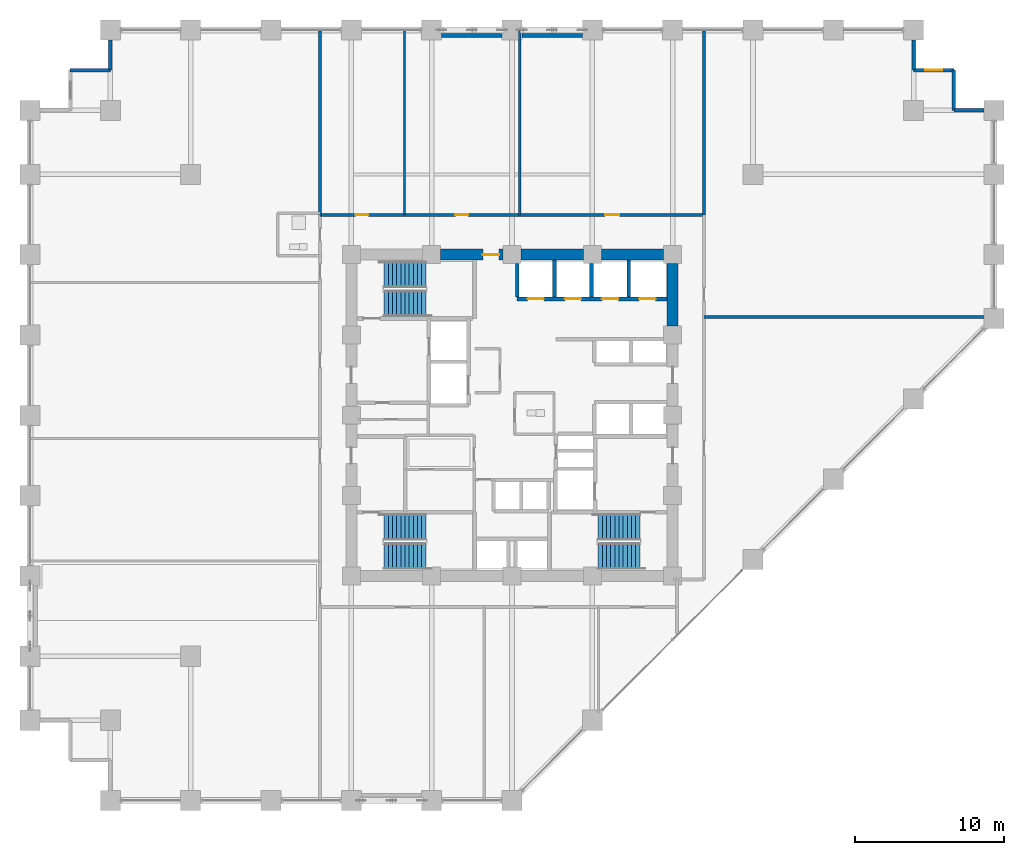
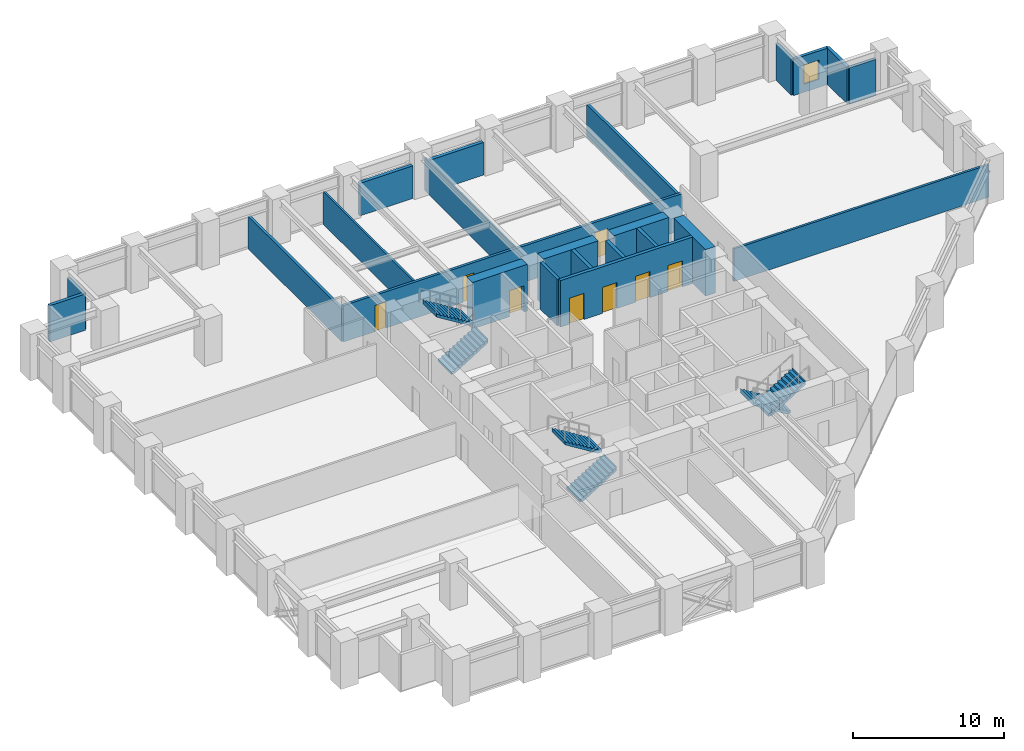
# One storey, part 22 of 25: 23 walls, 8 doors, 6 stair flights, 1 window, 9 openings, 3 elements without a shape of their own.
"""IFC4 building model written with IfcOpenShell, lengths in metres."""

from ifc_helpers import new_model, si_unit, direction, frame, frame_2d, origin, place, context, subcontext, project, spatial, polyline, rectangle, outline, extrude, material, layer, layer_set, type_object, element, fill, aggregate, save


model = new_model("IFC4")

# Units and contexts
model_context = context("Model", 3, precision=1e-05, world=origin(), true_north=direction((0.0, 1.0)))
body_context = subcontext(model_context, "Body", "Model", "MODEL_VIEW")
ifc_project = project(units=[si_unit("LENGTHUNIT", "METRE"), si_unit("AREAUNIT", "SQUARE_METRE"), si_unit("VOLUMEUNIT", "CUBIC_METRE"), si_unit("PLANEANGLEUNIT", "RADIAN"), si_unit("MASSUNIT", "GRAM", prefix="KILO")], contexts=[model_context])

# Site, building, storey
site_placement = place(None, origin())
site = spatial("IfcSite", under=ifc_project, at=site_placement, CompositionType="ELEMENT")
building_placement = place(site_placement, origin())
building = spatial("IfcBuilding", under=site, at=building_placement, Name="Surkhivell Harbour Commons", CompositionType="ELEMENT")
storey_placement = place(building_placement, frame((0.0, 0.0, 52.5)))
storey = spatial("IfcBuildingStorey", under=building, at=storey_placement, Name="L13", CompositionType="ELEMENT", Elevation=52.5)

# Wall, opening, door
ifc_material_1 = material(Name="Concrete C60/75", Category="concrete")
ifc_layer_1 = layer(ifc_material_1, 0.75)
ifc_layer_set_1 = layer_set([ifc_layer_1], Name="Concrete C60/75")
wall_type_1 = type_object("IfcWallType", Name="WAL-CORE-750", PredefinedType="SHEAR", material=ifc_layer_set_1)
wall_1_placement = place(storey_placement, frame((-4.7900390625, 10.800048828125, 0.0), z_axis=(0.0, 0.0, 1.0), x_axis=(1.0, 0.0, 0.0)))
wall_1 = element("IfcWall", 1, at=wall_1_placement, inside=storey, type_object=wall_type_1, Name="L13 Core Shear Wall North 2", PredefinedType="SHEAR", context=body_context, shape_type="SweptSolid", body=[
    extrude(rectangle(XDim=4.179931640625, YDim=0.75, at=frame_2d((2.08984375, 0.0))), origin(), (0.0, 0.0, 1.0), 3.75),
])
opening_1_placement = place(wall_1_placement, frame((2.830078125, 0.0, 0.0)))
opening_1 = element("IfcOpeningElement", 2, at=opening_1_placement, cuts=wall_1, Name="Opening ID-2", PredefinedType="OPENING", context=body_context, shape_type="SweptSolid", body=[
    extrude(rectangle(XDim=1.10009765625, YDim=2.10009765625, at=frame_2d((0.550048828125, 1.050048828125))), frame((0.0, 0.385009765625, 0.0), z_axis=(0.0, -1.0, 0.0), x_axis=(1.0, 0.0, 0.0)), (0.0, 0.0, 1.0), 0.77001953125),
])
ifc_material_2 = material(Name="Hardwood-veneered fire-rated door leaf", Category="wood")
door_type_1 = type_object("IfcDoorType", Name="DOR-FD60-1100", OperationType="NOTDEFINED", PredefinedType="DOOR", material=ifc_material_2)
door_1_placement = place(opening_1_placement, origin())
door_1 = element("IfcDoor", 3, at=door_1_placement, inside=storey, type_object=door_type_1, Name="L13 Central Core Lift Hall North Corridor Door", OperationType="SINGLE_SWING_LEFT", OverallHeight=2.10009765625, OverallWidth=1.10009765625, PredefinedType="DOOR", context=body_context, shape_type="SweptSolid", body=[
    extrude(rectangle(XDim=1.10009765625, YDim=2.10009765625, at=frame_2d((0.550048828125, 1.050048828125))), frame((0.0, 0.02490234375, 0.0), z_axis=(0.0, -1.0, 0.0), x_axis=(1.0, 0.0, 0.0)), (0.0, 0.0, 1.0), 0.050048828125),
])
fill(opening_1, door_1)

# Walls
for number, where, z_axis, x_axis, name in (
    (4, (0.610107421875, 10.800048828125, 0.0), (0.0, 0.0, 1.0), (1.0, 0.0, 0.0), "L13 Core Shear Wall North 3"),
    (5, (6.010009765625, 10.800048828125, 0.0), (0.0, 0.0, 1.0), (1.0, 0.0, 0.0), "L13 Core Shear Wall North 4"),
    (6, (10.800048828125, 6.010009765625, 0.0), (0.0, 0.0, 1.0), (0.0, 1.0, 0.0), "L13 Core Shear Wall East 4"),
):
    element("IfcWall", number, at=place(storey_placement, frame(where, z_axis=z_axis, x_axis=x_axis)), inside=storey, type_object=wall_type_1, Name=name, PredefinedType="SHEAR", context=body_context, shape_type="SweptSolid", body=[
        extrude(rectangle(XDim=4.179931640625, YDim=0.75, at=frame_2d((2.08984375, 0.0))), origin(), (0.0, 0.0, 1.0), 3.75),
    ])
ifc_material_3 = material(Name="Pale-metal insulated precast concrete C45/55", Category="concrete")
ifc_layer_2 = layer(ifc_material_3, 0.260009765625)
ifc_layer_set_2 = layer_set([ifc_layer_2], Name="Pale-metal insulated precast concrete C45/55")
wall_type_2 = type_object("IfcWallType", Name="WAL-EXT-MTL260", PredefinedType="STANDARD", material=ifc_layer_set_2)
for number, where, z_axis, x_axis, name in (
    (7, (-0.673095703125, 25.5400390625, 0.0), (0.0, 0.0, 1.0), (-1.0, 0.0, 0.0), "L13 Braced-Bay Insulated Spandrel Backing N"),
    (8, (4.72705078125, 25.5400390625, 0.0), (0.0, 0.0, 1.0), (-1.0, 0.0, 0.0), "L13 Braced-Bay Insulated Spandrel Backing N2"),
):
    element("IfcWall", number, at=place(storey_placement, frame(where, z_axis=z_axis, x_axis=x_axis)), inside=storey, type_object=wall_type_2, Name=name, PredefinedType="STANDARD", context=body_context, shape_type="SweptSolid", body=[
        extrude(rectangle(XDim=4.053955078125, YDim=0.260009765625, at=frame_2d((2.02685546875, 0.0))), origin(), (0.0, 0.0, 1.0), 2.62890625),
    ])
ifc_material_4 = material(Name="Bronze-ochre cassette precast concrete C45/55", Category="concrete")
ifc_layer_3 = layer(ifc_material_4, 0.239990234375)
ifc_layer_set_3 = layer_set([ifc_layer_3], Name="Bronze-ochre cassette precast concrete C45/55")
wall_type_3 = type_object("IfcWallType", Name="WAL-EXT-OCH240", PredefinedType="STANDARD", material=ifc_layer_set_3)
wall_2_placement = place(storey_placement, frame((31.72705078125, 20.5, 0.0), z_axis=(0.0, 0.0, 1.0), x_axis=(-1.0, 0.0, 0.0)))
element("IfcWall", 9, at=wall_2_placement, inside=storey, type_object=wall_type_3, Name="L13 Serrated Corner Facade Wall 03", PredefinedType="STANDARD", context=body_context, shape_type="SweptSolid", body=[
    extrude(rectangle(XDim=2.027099609375, YDim=0.239990234375, at=frame_2d((1.013671875, 0.0))), origin(), (0.0, 0.0, 1.0), 2.929931640625),
])
wall_3_placement = place(storey_placement, frame((29.699951171875, 20.5, 0.0), z_axis=(0.0, 0.0, 1.0), x_axis=(0.0, 1.0, 0.0)))
element("IfcWall", 10, at=wall_3_placement, inside=storey, type_object=wall_type_3, Name="L13 Serrated Corner Facade Wall 04", PredefinedType="STANDARD", context=body_context, shape_type="SweptSolid", body=[
    extrude(rectangle(XDim=2.699951171875, YDim=0.239990234375, at=frame_2d((1.35009765625, 0.0))), origin(), (0.0, 0.0, 1.0), 2.929931640625),
])

# Wall, opening, window
wall_4_placement = place(storey_placement, frame((29.699951171875, 23.199951171875, 0.0), z_axis=(0.0, 0.0, 1.0), x_axis=(-1.0, 0.0, 0.0)))
wall_4 = element("IfcWall", 11, at=wall_4_placement, inside=storey, type_object=wall_type_3, Name="L13 Serrated Corner Facade Wall 05", PredefinedType="STANDARD", context=body_context, shape_type="SweptSolid", body=[
    extrude(rectangle(XDim=2.699951171875, YDim=0.239990234375, at=frame_2d((1.35009765625, 0.0))), origin(), (0.0, 0.0, 1.0), 2.929931640625),
])
opening_2_placement = place(wall_4_placement, frame((0.77490234375, 0.0, 0.64990234375)))
opening_2 = element("IfcOpeningElement", 12, at=opening_2_placement, cuts=wall_4, Name="Opening WN-10", PredefinedType="OPENING", context=body_context, shape_type="SweptSolid", body=[
    extrude(rectangle(XDim=1.14990234375, YDim=1.550048828125, at=frame_2d((0.574951171875, 0.77490234375))), frame((0.0, 0.1298828125, 0.0), z_axis=(0.0, -1.0, 0.0), x_axis=(1.0, 0.0, 0.0)), (0.0, 0.0, 1.0), 0.260009765625),
])
ifc_material_5 = material(Name="Thermal-break aluminium frame and double low-E glazing", Category="aluminium")
window_type = type_object("IfcWindowType", Name="WIN-SER-1150x1550", PartitioningType="SINGLE_PANEL", PredefinedType="WINDOW", material=ifc_material_5)
window_placement = place(opening_2_placement, origin())
window = element("IfcWindow", 13, at=window_placement, inside=storey, type_object=window_type, Name="L13 Serrated Alcove Window 05", OverallHeight=1.550048828125, OverallWidth=1.14990234375, PartitioningType="SINGLE_PANEL", PredefinedType="WINDOW", context=body_context, shape_type="SweptSolid", body=[
    extrude(rectangle(XDim=1.14990234375, YDim=1.550048828125, at=frame_2d((0.574951171875, 0.77490234375))), frame((0.0, 0.030029296875, 0.0), z_axis=(0.0, -1.0, 0.0), x_axis=(1.0, 0.0, 0.0)), (0.0, 0.0, 1.0), 0.06005859375),
])
fill(opening_2, window)

# Walls
for number, where, z_axis, x_axis, name in (
    (14, (27.0, 23.199951171875, 0.0), (0.0, 0.0, 1.0), (0.0, 1.0, 0.0), "L13 Serrated Corner Facade Wall 06"),
    (15, (-27.0, 25.22705078125, 0.0), (0.0, 0.0, 1.0), (0.0, -1.0, 0.0), "L13 Serrated Corner Facade Wall 08"),
):
    element("IfcWall", number, at=place(storey_placement, frame(where, z_axis=z_axis, x_axis=x_axis)), inside=storey, type_object=wall_type_3, Name=name, PredefinedType="STANDARD", context=body_context, shape_type="SweptSolid", body=[
        extrude(rectangle(XDim=2.027099609375, YDim=0.239990234375, at=frame_2d((1.013671875, 0.0))), origin(), (0.0, 0.0, 1.0), 2.929931640625),
    ])
wall_5_placement = place(storey_placement, frame((-27.0, 23.199951171875, 0.0), z_axis=(0.0, 0.0, 1.0), x_axis=(-1.0, 0.0, 0.0)))
element("IfcWall", 16, at=wall_5_placement, inside=storey, type_object=wall_type_3, Name="L13 Serrated Corner Facade Wall 09", PredefinedType="STANDARD", context=body_context, shape_type="SweptSolid", body=[
    extrude(rectangle(XDim=2.699951171875, YDim=0.239990234375, at=frame_2d((1.35009765625, 0.0))), origin(), (0.0, 0.0, 1.0), 2.929931640625),
])
ifc_material_6 = material(Name="Twin-stud acoustic fireboard partition", Category="other")
ifc_layer_4 = layer(ifc_material_6, 0.14990234375)
ifc_layer_set_4 = layer_set([ifc_layer_4], Name="Twin-stud acoustic fireboard partition")
wall_type_4 = type_object("IfcWallType", Name="WAL-INT-150", PredefinedType="PARTITIONING", material=ifc_layer_set_4)
for number, where, z_axis, x_axis, name in (
    (17, (-7.219970703125, 13.47998046875, 0.0), (0.0, 0.0, 1.0), (0.0, 1.0, 0.0), "L13 North Partition P1"),
    (18, (0.52001953125, 13.47998046875, 0.0), (0.0, 0.0, 1.0), (0.0, 1.0, 0.0), "L13 North Partition P2"),
):
    element("IfcWall", number, at=place(storey_placement, frame(where, z_axis=z_axis, x_axis=x_axis)), inside=storey, type_object=wall_type_4, Name=name, PredefinedType="PARTITIONING", context=body_context, shape_type="SweptSolid", body=[
        extrude(rectangle(XDim=12.360107421875, YDim=0.14990234375, at=frame_2d((6.18017578125, 0.0))), origin(), (0.0, 0.0, 1.0), 2.62890625),
    ])
ifc_material_7 = material(Name="High-density acoustic blockwork fire partition", Category="masonry")
ifc_layer_5 = layer(ifc_material_7, 0.175048828125)
ifc_layer_set_5 = layer_set([ifc_layer_5], Name="High-density acoustic blockwork fire partition")
wall_type_5 = type_object("IfcWallType", Name="WAL-INT-175", PredefinedType="PARTITIONING", material=ifc_layer_set_5)
wall_6_placement = place(storey_placement, frame((12.89990234375, 6.610107421875, 0.0), z_axis=(0.0, 0.0, 1.0), x_axis=(1.0, 0.0, 0.0)))
element("IfcWall", 19, at=wall_6_placement, inside=storey, type_object=wall_type_5, Name="L13 East Partition P1", PredefinedType="PARTITIONING", context=body_context, shape_type="SweptSolid", body=[
    extrude(rectangle(XDim=19.440185546875, YDim=0.175048828125, at=frame_2d((9.72021484375, 0.0))), origin(), (0.0, 0.0, 1.0), 2.62890625),
])
ifc_material_8 = material(Name="Autoclaved aerated concrete blockwork and fire plaster", Category="masonry")
ifc_layer_6 = layer(ifc_material_8, 0.199951171875)
ifc_layer_set_6 = layer_set([ifc_layer_6], Name="Autoclaved aerated concrete blockwork and fire plaster")
wall_type_6 = type_object("IfcWallType", Name="WAL-INT-200", PredefinedType="PARTITIONING", material=ifc_layer_set_6)
for number, where, z_axis, x_axis, name in (
    (20, (12.89990234375, 13.47998046875, 0.0), (0.0, 0.0, 1.0), (0.0, 1.0, 0.0), "L13 North-East Wing Corner Divider"),
    (21, (-12.89990234375, 13.47998046875, 0.0), (0.0, 0.0, 1.0), (0.0, 1.0, 0.0), "L13 North-West Wing Corner Divider"),
):
    element("IfcWall", number, at=place(storey_placement, frame(where, z_axis=z_axis, x_axis=x_axis)), inside=storey, type_object=wall_type_6, Name=name, PredefinedType="PARTITIONING", context=body_context, shape_type="SweptSolid", body=[
        extrude(rectangle(XDim=12.360107421875, YDim=0.199951171875, at=frame_2d((6.18017578125, 0.0))), origin(), (0.0, 0.0, 1.0), 2.62890625),
    ])

# Wall, openings, doors
wall_7_placement = place(storey_placement, frame((-12.89990234375, 13.47998046875, 0.0), z_axis=(0.0, 0.0, 1.0), x_axis=(1.0, 0.0, 0.0)))
wall_7 = element("IfcWall", 22, at=wall_7_placement, inside=storey, type_object=wall_type_6, Name="L13 Corridor North Wall", PredefinedType="PARTITIONING", context=body_context, shape_type="SweptSolid", body=[
    extrude(rectangle(XDim=25.7998046875, YDim=0.199951171875, at=frame_2d((12.89990234375, 0.0))), origin(), (0.0, 0.0, 1.0), 2.929931640625),
])
opening_3_placement = place(wall_7_placement, frame((2.389892578125, 0.0, 0.0)))
opening_3 = element("IfcOpeningElement", 23, at=opening_3_placement, cuts=wall_7, Name="Opening ID-6", PredefinedType="OPENING", context=body_context, shape_type="SweptSolid", body=[
    extrude(rectangle(XDim=0.85009765625, YDim=2.10009765625, at=frame_2d((0.425048828125, 1.050048828125))), frame((0.0, 0.10986328125, 0.0), z_axis=(0.0, -1.0, 0.0), x_axis=(1.0, 0.0, 0.0)), (0.0, 0.0, 1.0), 0.219970703125),
])
opening_4_placement = place(wall_7_placement, frame((9.10009765625, 0.0, 0.0)))
opening_4 = element("IfcOpeningElement", 24, at=opening_4_placement, cuts=wall_7, Name="Opening ID-6", PredefinedType="OPENING", context=body_context, shape_type="SweptSolid", body=[
    extrude(rectangle(XDim=0.85009765625, YDim=2.10009765625, at=frame_2d((0.425048828125, 1.050048828125))), frame((0.0, 0.10986328125, 0.0), z_axis=(0.0, -1.0, 0.0), x_axis=(1.0, 0.0, 0.0)), (0.0, 0.0, 1.0), 0.219970703125),
])
opening_5_placement = place(wall_7_placement, frame((19.159912109375, 0.0, 0.0)))
opening_5 = element("IfcOpeningElement", 25, at=opening_5_placement, cuts=wall_7, Name="Opening ID-4", PredefinedType="OPENING", context=body_context, shape_type="SweptSolid", body=[
    extrude(rectangle(XDim=0.949951171875, YDim=2.10009765625, at=frame_2d((0.47509765625, 1.050048828125))), frame((0.0, 0.10986328125, 0.0), z_axis=(0.0, -1.0, 0.0), x_axis=(1.0, 0.0, 0.0)), (0.0, 0.0, 1.0), 0.219970703125),
])
door_type_2 = type_object("IfcDoorType", Name="DOR-FD30-850", OperationType="NOTDEFINED", PredefinedType="DOOR", material=ifc_material_2)
door_2_placement = place(opening_3_placement, origin())
door_2 = element("IfcDoor", 26, at=door_2_placement, inside=storey, type_object=door_type_2, Name="L13 Co-Working Study Office 1 North Door", OperationType="SINGLE_SWING_LEFT", OverallHeight=2.10009765625, OverallWidth=0.85009765625, PredefinedType="DOOR", context=body_context, shape_type="SweptSolid", body=[
    extrude(rectangle(XDim=0.85009765625, YDim=2.10009765625, at=frame_2d((0.425048828125, 1.050048828125))), frame((0.0, 0.02490234375, 0.0), z_axis=(0.0, -1.0, 0.0), x_axis=(1.0, 0.0, 0.0)), (0.0, 0.0, 1.0), 0.050048828125),
])
fill(opening_3, door_2)
door_3_placement = place(opening_4_placement, origin())
door_3 = element("IfcDoor", 27, at=door_3_placement, inside=storey, type_object=door_type_2, Name="L13 Co-Working Study Office 2 North Door", OperationType="SINGLE_SWING_RIGHT", OverallHeight=2.10009765625, OverallWidth=0.85009765625, PredefinedType="DOOR", context=body_context, shape_type="SweptSolid", body=[
    extrude(rectangle(XDim=0.85009765625, YDim=2.10009765625, at=frame_2d((0.425048828125, 1.050048828125))), frame((0.0, 0.02490234375, 0.0), z_axis=(0.0, -1.0, 0.0), x_axis=(1.0, 0.0, 0.0)), (0.0, 0.0, 1.0), 0.050048828125),
])
fill(opening_4, door_3)
door_type_3 = type_object("IfcDoorType", Name="DOR-FD60-950", OperationType="NOTDEFINED", PredefinedType="DOOR", material=ifc_material_2)
door_4_placement = place(opening_5_placement, origin())
door_4 = element("IfcDoor", 28, at=door_4_placement, inside=storey, type_object=door_type_3, Name="L13 Co-Working Study Office 3 North Door", OperationType="SINGLE_SWING_LEFT", OverallHeight=2.10009765625, OverallWidth=0.949951171875, PredefinedType="DOOR", context=body_context, shape_type="SweptSolid", body=[
    extrude(rectangle(XDim=0.949951171875, YDim=2.10009765625, at=frame_2d((0.47509765625, 1.050048828125))), frame((0.0, 0.02490234375, 0.0), z_axis=(0.0, -1.0, 0.0), x_axis=(1.0, 0.0, 0.0)), (0.0, 0.0, 1.0), 0.050048828125),
])
fill(opening_5, door_4)

# Walls
ifc_material_9 = material(Name="Concrete C50/60", Category="concrete")
ifc_layer_7 = layer(ifc_material_9, 0.25)
ifc_layer_set_7 = layer_set([ifc_layer_7], Name="Concrete C50/60")
wall_type_7 = type_object("IfcWallType", Name="WAL-SHAFT-250", PredefinedType="SHEAR", material=ifc_layer_set_7)
wall_8_placement = place(storey_placement, frame((2.85009765625, 7.93994140625, 0.0), z_axis=(0.0, 0.0, 1.0), x_axis=(0.0, 1.0, 0.0)))
element("IfcWall", 29, at=wall_8_placement, inside=storey, type_object=wall_type_7, Name="L13 Low-Rise Hoistway Wall", PredefinedType="SHEAR", context=body_context, shape_type="SweptSolid", body=[
    extrude(rectangle(XDim=2.485107421875, YDim=0.25, at=frame_2d((1.24267578125, 0.0))), origin(), (0.0, 0.0, 1.0), 3.75),
])
for number, where, z_axis, x_axis, name in (
    (30, (0.35009765625, 7.93994140625, 0.0), (0.0, 0.0, 1.0), (0.0, 1.0, 0.0), "L13 Low-Rise Hoistway Wall"),
    (31, (5.35009765625, 7.93994140625, 0.0), (0.0, 0.0, 1.0), (0.0, 1.0, 0.0), "L13 Low-Rise Hoistway Wall"),
):
    element("IfcWall", number, at=place(storey_placement, frame(where, z_axis=z_axis, x_axis=x_axis)), inside=storey, type_object=wall_type_7, Name=name, PredefinedType="SHEAR", context=body_context, shape_type="SweptSolid", body=[
        extrude(rectangle(XDim=2.260009765625, YDim=0.25, at=frame_2d((1.1298828125, 0.0))), origin(), (0.0, 0.0, 1.0), 3.75),
    ])
wall_9_placement = place(storey_placement, frame((7.85009765625, 7.93994140625, 0.0), z_axis=(0.0, 0.0, 1.0), x_axis=(0.0, 1.0, 0.0)))
element("IfcWall", 32, at=wall_9_placement, inside=storey, type_object=wall_type_7, Name="L13 Low-Rise Hoistway Wall", PredefinedType="SHEAR", context=body_context, shape_type="SweptSolid", body=[
    extrude(rectangle(XDim=2.485107421875, YDim=0.25, at=frame_2d((1.24267578125, 0.0))), origin(), (0.0, 0.0, 1.0), 3.75),
])

# Wall, openings, doors
wall_10_placement = place(storey_placement, frame((0.35009765625, 7.820068359375, 0.0), z_axis=(0.0, 0.0, 1.0), x_axis=(1.0, 0.0, 0.0)))
wall_10 = element("IfcWall", 33, at=wall_10_placement, inside=storey, type_object=wall_type_7, Name="L13 Low-Rise Lift Front Shaft Wall", PredefinedType="SHEAR", context=body_context, shape_type="SweptSolid", body=[
    extrude(rectangle(XDim=10.074951171875, YDim=0.25, at=frame_2d((5.03759765625, 0.0))), origin(), (0.0, 0.0, 1.0), 3.75),
])
opening_6_placement = place(wall_10_placement, frame((0.699951171875, 0.0, 0.0)))
opening_6 = element("IfcOpeningElement", 34, at=opening_6_placement, cuts=wall_10, Name="Opening LD-1", PredefinedType="OPENING", context=body_context, shape_type="SweptSolid", body=[
    extrude(rectangle(XDim=1.10009765625, YDim=2.10009765625, at=frame_2d((0.550048828125, 1.050048828125))), frame((0.0, 0.135009765625, 0.0), z_axis=(0.0, -1.0, 0.0), x_axis=(1.0, 0.0, 0.0)), (0.0, 0.0, 1.0), 0.27001953125),
])
opening_7_placement = place(wall_10_placement, frame((3.199951171875, 0.0, 0.0)))
opening_7 = element("IfcOpeningElement", 35, at=opening_7_placement, cuts=wall_10, Name="Opening LD-1", PredefinedType="OPENING", context=body_context, shape_type="SweptSolid", body=[
    extrude(rectangle(XDim=1.10009765625, YDim=2.10009765625, at=frame_2d((0.550048828125, 1.050048828125))), frame((0.0, 0.135009765625, 0.0), z_axis=(0.0, -1.0, 0.0), x_axis=(1.0, 0.0, 0.0)), (0.0, 0.0, 1.0), 0.27001953125),
])
opening_8_placement = place(wall_10_placement, frame((5.699951171875, 0.0, 0.0)))
opening_8 = element("IfcOpeningElement", 36, at=opening_8_placement, cuts=wall_10, Name="Opening LD-1", PredefinedType="OPENING", context=body_context, shape_type="SweptSolid", body=[
    extrude(rectangle(XDim=1.10009765625, YDim=2.10009765625, at=frame_2d((0.550048828125, 1.050048828125))), frame((0.0, 0.135009765625, 0.0), z_axis=(0.0, -1.0, 0.0), x_axis=(1.0, 0.0, 0.0)), (0.0, 0.0, 1.0), 0.27001953125),
])
opening_9_placement = place(wall_10_placement, frame((8.199951171875, 0.0, 0.0)))
opening_9 = element("IfcOpeningElement", 37, at=opening_9_placement, cuts=wall_10, Name="Opening LD-1", PredefinedType="OPENING", context=body_context, shape_type="SweptSolid", body=[
    extrude(rectangle(XDim=1.10009765625, YDim=2.10009765625, at=frame_2d((0.550048828125, 1.050048828125))), frame((0.0, 0.135009765625, 0.0), z_axis=(0.0, -1.0, 0.0), x_axis=(1.0, 0.0, 0.0)), (0.0, 0.0, 1.0), 0.27001953125),
])
ifc_material_10 = material(Name="Brushed stainless steel S355", Category="steel")
door_type_4 = type_object("IfcDoorType", Name="DOR-LD-1100", OperationType="SLIDING_TO_LEFT", PredefinedType="DOOR", material=ifc_material_10)
door_5_placement = place(opening_6_placement, origin())
door_5 = element("IfcDoor", 38, at=door_5_placement, inside=storey, type_object=door_type_4, Name="L13 Lift Landing Door LD-PL1", OperationType="SLIDING_TO_LEFT", OverallHeight=2.10009765625, OverallWidth=1.10009765625, PredefinedType="DOOR", context=body_context, shape_type="SweptSolid", body=[
    extrude(rectangle(XDim=1.10009765625, YDim=2.10009765625, at=frame_2d((0.550048828125, 1.050048828125))), frame((0.0, 0.02490234375, 0.0), z_axis=(0.0, -1.0, 0.0), x_axis=(1.0, 0.0, 0.0)), (0.0, 0.0, 1.0), 0.050048828125),
])
fill(opening_6, door_5)
door_6_placement = place(opening_7_placement, origin())
door_6 = element("IfcDoor", 39, at=door_6_placement, inside=storey, type_object=door_type_4, Name="L13 Lift Landing Door LD-PL2", OperationType="SLIDING_TO_LEFT", OverallHeight=2.10009765625, OverallWidth=1.10009765625, PredefinedType="DOOR", context=body_context, shape_type="SweptSolid", body=[
    extrude(rectangle(XDim=1.10009765625, YDim=2.10009765625, at=frame_2d((0.550048828125, 1.050048828125))), frame((0.0, 0.02490234375, 0.0), z_axis=(0.0, -1.0, 0.0), x_axis=(1.0, 0.0, 0.0)), (0.0, 0.0, 1.0), 0.050048828125),
])
fill(opening_7, door_6)
door_7_placement = place(opening_8_placement, origin())
door_7 = element("IfcDoor", 40, at=door_7_placement, inside=storey, type_object=door_type_4, Name="L13 Lift Landing Door LD-PL3", OperationType="SLIDING_TO_LEFT", OverallHeight=2.10009765625, OverallWidth=1.10009765625, PredefinedType="DOOR", context=body_context, shape_type="SweptSolid", body=[
    extrude(rectangle(XDim=1.10009765625, YDim=2.10009765625, at=frame_2d((0.550048828125, 1.050048828125))), frame((0.0, 0.02490234375, 0.0), z_axis=(0.0, -1.0, 0.0), x_axis=(1.0, 0.0, 0.0)), (0.0, 0.0, 1.0), 0.050048828125),
])
fill(opening_8, door_7)
door_8_placement = place(opening_9_placement, origin())
door_8 = element("IfcDoor", 41, at=door_8_placement, inside=storey, type_object=door_type_4, Name="L13 Lift Landing Door LD-PL4", OperationType="SLIDING_TO_LEFT", OverallHeight=2.10009765625, OverallWidth=1.10009765625, PredefinedType="DOOR", context=body_context, shape_type="SweptSolid", body=[
    extrude(rectangle(XDim=1.10009765625, YDim=2.10009765625, at=frame_2d((0.550048828125, 1.050048828125))), frame((0.0, 0.02490234375, 0.0), z_axis=(0.0, -1.0, 0.0), x_axis=(1.0, 0.0, 0.0)), (0.0, 0.0, 1.0), 0.050048828125),
])
fill(opening_9, door_8)

# Stair, stair flights
ifc_material_11 = material(Name="Precast concrete C45/55", Category="concrete")
stair_type = type_object("IfcStairType", Name="STR-DL-375", PredefinedType="HALF_TURN_STAIR", material=ifc_material_11)
stair_1_placement = place(storey_placement, origin())
stair_1 = element("IfcStair", 42, at=stair_1_placement, inside=storey, type_object=stair_type, Name="L13 Core Exit Stair ST1", PredefinedType="HALF_TURN_STAIR")
stair_flight_type = type_object("IfcStairFlightType", Name="STF-DL-375", PredefinedType="STRAIGHT", material=ifc_material_11)
stair_flight_1_placement = place(storey_placement, frame((-8.590087890625, 7.514892578125, 0.0), z_axis=(0.0, 0.0, 1.0), x_axis=(1.0, 0.0, 0.0)))
stair_flight_1 = element("IfcStairFlight", 43, at=stair_flight_1_placement, type_object=stair_flight_type, Name="ST1 flight 1", NumberOfRisers=11, NumberOfTreads=10, PredefinedType="STRAIGHT", RiserHeight=0.170454545, TreadLength=0.28, context=body_context, shape_type="SweptSolid", body=[
    extrude(outline(polyline([(-0.0029296875, -0.034912109375), (-0.0029296875, 0.0), (0.0, 0.0), (0.0, 0.17041015625), (0.280029296875, 0.17041015625), (0.280029296875, 0.3408203125), (0.56005859375, 0.3408203125), (0.56005859375, 0.511474609375), (0.840087890625, 0.511474609375), (0.840087890625, 0.681884765625), (1.1201171875, 0.681884765625), (1.1201171875, 0.852294921875), (1.39990234375, 0.852294921875), (1.39990234375, 1.022705078125), (1.679931640625, 1.022705078125), (1.679931640625, 1.193115234375), (1.9599609375, 1.193115234375), (1.9599609375, 1.363525390625), (2.239990234375, 1.363525390625), (2.239990234375, 1.5341796875), (2.52001953125, 1.5341796875), (2.52001953125, 1.70458984375), (2.800048828125, 1.70458984375), (2.800048828125, 1.875), (2.802978515625, 1.875), (2.802978515625, 1.529052734375), (0.288330078125, -0.034912109375), (-0.0029296875, -0.034912109375)])), frame((0.0, 0.875, 0.0), z_axis=(0.0, -1.0, 0.0), x_axis=(1.0, 0.0, 0.0)), (0.0, 0.0, 1.0), 1.75),
])
stair_flight_2_placement = place(storey_placement, frame((-5.7900390625, 9.465087890625, 1.875), z_axis=(0.0, 0.0, 1.0), x_axis=(-1.0, 0.0, 0.0)))
stair_flight_2 = element("IfcStairFlight", 44, at=stair_flight_2_placement, type_object=stair_flight_type, Name="ST1 flight 2", NumberOfRisers=11, NumberOfTreads=10, PredefinedType="STRAIGHT", RiserHeight=0.170454545, TreadLength=0.28, context=body_context, shape_type="SweptSolid", body=[
    extrude(outline(polyline([(-0.0029296875, -0.034912109375), (-0.0029296875, 0.0), (0.0, 0.0), (0.0, 0.17041015625), (0.280029296875, 0.17041015625), (0.280029296875, 0.3408203125), (0.56005859375, 0.3408203125), (0.56005859375, 0.511474609375), (0.840087890625, 0.511474609375), (0.840087890625, 0.681884765625), (1.1201171875, 0.681884765625), (1.1201171875, 0.852294921875), (1.39990234375, 0.852294921875), (1.39990234375, 1.022705078125), (1.679931640625, 1.022705078125), (1.679931640625, 1.193115234375), (1.9599609375, 1.193115234375), (1.9599609375, 1.363525390625), (2.239990234375, 1.363525390625), (2.239990234375, 1.5341796875), (2.52001953125, 1.5341796875), (2.52001953125, 1.70458984375), (2.800048828125, 1.70458984375), (2.800048828125, 1.875), (2.802978515625, 1.875), (2.802978515625, 1.529052734375), (0.288330078125, -0.034912109375), (-0.0029296875, -0.034912109375)])), frame((0.0, 0.875, 0.0), z_axis=(0.0, -1.0, 0.0), x_axis=(1.0, 0.0, 0.0)), (0.0, 0.0, 1.0), 1.75),
])
aggregate(stair_1, [stair_flight_1, stair_flight_2])

stair_2_placement = place(storey_placement, origin())
stair_2 = element("IfcStair", 45, at=stair_2_placement, inside=storey, type_object=stair_type, Name="L13 Core Exit Stair ST2", PredefinedType="HALF_TURN_STAIR")
stair_flight_3_placement = place(storey_placement, frame((8.590087890625, -7.514892578125, 0.0), z_axis=(0.0, 0.0, 1.0), x_axis=(-1.0, 0.0, 0.0)))
stair_flight_3 = element("IfcStairFlight", 46, at=stair_flight_3_placement, type_object=stair_flight_type, Name="ST2 flight 1", NumberOfRisers=11, NumberOfTreads=10, PredefinedType="STRAIGHT", RiserHeight=0.170454545, TreadLength=0.28, context=body_context, shape_type="SweptSolid", body=[
    extrude(outline(polyline([(-0.0029296875, -0.034912109375), (-0.0029296875, 0.0), (0.0, 0.0), (0.0, 0.17041015625), (0.280029296875, 0.17041015625), (0.280029296875, 0.3408203125), (0.56005859375, 0.3408203125), (0.56005859375, 0.511474609375), (0.840087890625, 0.511474609375), (0.840087890625, 0.681884765625), (1.1201171875, 0.681884765625), (1.1201171875, 0.852294921875), (1.39990234375, 0.852294921875), (1.39990234375, 1.022705078125), (1.679931640625, 1.022705078125), (1.679931640625, 1.193115234375), (1.9599609375, 1.193115234375), (1.9599609375, 1.363525390625), (2.239990234375, 1.363525390625), (2.239990234375, 1.5341796875), (2.52001953125, 1.5341796875), (2.52001953125, 1.70458984375), (2.800048828125, 1.70458984375), (2.800048828125, 1.875), (2.802978515625, 1.875), (2.802978515625, 1.529052734375), (0.288330078125, -0.034912109375), (-0.0029296875, -0.034912109375)])), frame((0.0, 0.875, 0.0), z_axis=(0.0, -1.0, 0.0), x_axis=(1.0, 0.0, 0.0)), (0.0, 0.0, 1.0), 1.75),
])
stair_flight_4_placement = place(storey_placement, frame((5.7900390625, -9.465087890625, 1.875), z_axis=(0.0, 0.0, 1.0), x_axis=(1.0, 0.0, 0.0)))
stair_flight_4 = element("IfcStairFlight", 47, at=stair_flight_4_placement, type_object=stair_flight_type, Name="ST2 flight 2", NumberOfRisers=11, NumberOfTreads=10, PredefinedType="STRAIGHT", RiserHeight=0.170454545, TreadLength=0.28, context=body_context, shape_type="SweptSolid", body=[
    extrude(outline(polyline([(-0.0029296875, -0.034912109375), (-0.0029296875, 0.0), (0.0, 0.0), (0.0, 0.17041015625), (0.280029296875, 0.17041015625), (0.280029296875, 0.3408203125), (0.56005859375, 0.3408203125), (0.56005859375, 0.511474609375), (0.840087890625, 0.511474609375), (0.840087890625, 0.681884765625), (1.1201171875, 0.681884765625), (1.1201171875, 0.852294921875), (1.39990234375, 0.852294921875), (1.39990234375, 1.022705078125), (1.679931640625, 1.022705078125), (1.679931640625, 1.193115234375), (1.9599609375, 1.193115234375), (1.9599609375, 1.363525390625), (2.239990234375, 1.363525390625), (2.239990234375, 1.5341796875), (2.52001953125, 1.5341796875), (2.52001953125, 1.70458984375), (2.800048828125, 1.70458984375), (2.800048828125, 1.875), (2.802978515625, 1.875), (2.802978515625, 1.529052734375), (0.288330078125, -0.034912109375), (-0.0029296875, -0.034912109375)])), frame((0.0, 0.875, 0.0), z_axis=(0.0, -1.0, 0.0), x_axis=(1.0, 0.0, 0.0)), (0.0, 0.0, 1.0), 1.75),
])
aggregate(stair_2, [stair_flight_3, stair_flight_4])

stair_3_placement = place(storey_placement, origin())
stair_3 = element("IfcStair", 48, at=stair_3_placement, inside=storey, type_object=stair_type, Name="L13 Core Exit Stair ST3", PredefinedType="HALF_TURN_STAIR")
stair_flight_5_placement = place(storey_placement, frame((-8.590087890625, -9.465087890625, 0.0), z_axis=(0.0, 0.0, 1.0), x_axis=(1.0, 0.0, 0.0)))
stair_flight_5 = element("IfcStairFlight", 49, at=stair_flight_5_placement, type_object=stair_flight_type, Name="ST3 flight 1", NumberOfRisers=11, NumberOfTreads=10, PredefinedType="STRAIGHT", RiserHeight=0.170454545, TreadLength=0.28, context=body_context, shape_type="SweptSolid", body=[
    extrude(outline(polyline([(-0.0029296875, -0.034912109375), (-0.0029296875, 0.0), (0.0, 0.0), (0.0, 0.17041015625), (0.280029296875, 0.17041015625), (0.280029296875, 0.3408203125), (0.56005859375, 0.3408203125), (0.56005859375, 0.511474609375), (0.840087890625, 0.511474609375), (0.840087890625, 0.681884765625), (1.1201171875, 0.681884765625), (1.1201171875, 0.852294921875), (1.39990234375, 0.852294921875), (1.39990234375, 1.022705078125), (1.679931640625, 1.022705078125), (1.679931640625, 1.193115234375), (1.9599609375, 1.193115234375), (1.9599609375, 1.363525390625), (2.239990234375, 1.363525390625), (2.239990234375, 1.5341796875), (2.52001953125, 1.5341796875), (2.52001953125, 1.70458984375), (2.800048828125, 1.70458984375), (2.800048828125, 1.875), (2.802978515625, 1.875), (2.802978515625, 1.529052734375), (0.288330078125, -0.034912109375), (-0.0029296875, -0.034912109375)])), frame((0.0, 0.875, 0.0), z_axis=(0.0, -1.0, 0.0), x_axis=(1.0, 0.0, 0.0)), (0.0, 0.0, 1.0), 1.75),
])
stair_flight_6_placement = place(storey_placement, frame((-5.7900390625, -7.514892578125, 1.875), z_axis=(0.0, 0.0, 1.0), x_axis=(-1.0, 0.0, 0.0)))
stair_flight_6 = element("IfcStairFlight", 50, at=stair_flight_6_placement, type_object=stair_flight_type, Name="ST3 flight 2", NumberOfRisers=11, NumberOfTreads=10, PredefinedType="STRAIGHT", RiserHeight=0.170454545, TreadLength=0.28, context=body_context, shape_type="SweptSolid", body=[
    extrude(outline(polyline([(-0.0029296875, -0.034912109375), (-0.0029296875, 0.0), (0.0, 0.0), (0.0, 0.17041015625), (0.280029296875, 0.17041015625), (0.280029296875, 0.3408203125), (0.56005859375, 0.3408203125), (0.56005859375, 0.511474609375), (0.840087890625, 0.511474609375), (0.840087890625, 0.681884765625), (1.1201171875, 0.681884765625), (1.1201171875, 0.852294921875), (1.39990234375, 0.852294921875), (1.39990234375, 1.022705078125), (1.679931640625, 1.022705078125), (1.679931640625, 1.193115234375), (1.9599609375, 1.193115234375), (1.9599609375, 1.363525390625), (2.239990234375, 1.363525390625), (2.239990234375, 1.5341796875), (2.52001953125, 1.5341796875), (2.52001953125, 1.70458984375), (2.800048828125, 1.70458984375), (2.800048828125, 1.875), (2.802978515625, 1.875), (2.802978515625, 1.529052734375), (0.288330078125, -0.034912109375), (-0.0029296875, -0.034912109375)])), frame((0.0, 0.875, 0.0), z_axis=(0.0, -1.0, 0.0), x_axis=(1.0, 0.0, 0.0)), (0.0, 0.0, 1.0), 1.75),
])
aggregate(stair_3, [stair_flight_5, stair_flight_6])

save(model, "model.ifc")
